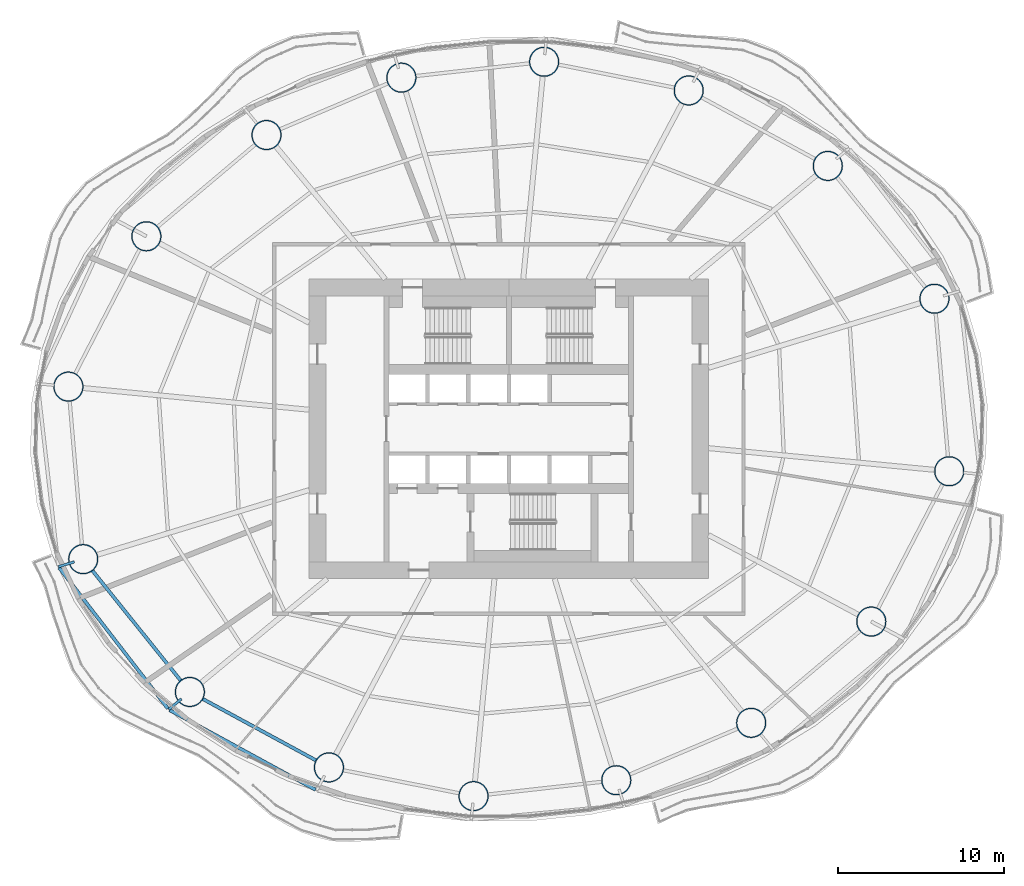
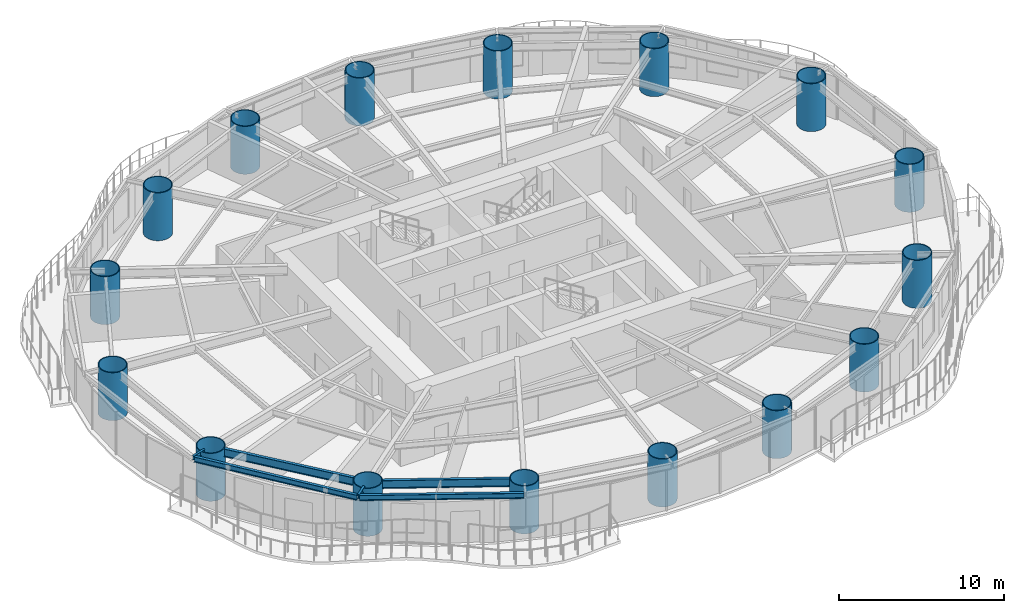
# One storey, part 1 of 16: 16 columns, 6 beams.
"""IFC4 building model written with IfcOpenShell, lengths in metres."""

from ifc_helpers import new_model, si_unit, direction, frame, origin, origin_2d, place, context, subcontext, project, spatial, hollow_circle, i_section, extrude, material, material_profile, profile_set, type_object, element, save


model = new_model("IFC4")

# Units and contexts
model_context = context("Model", 3, precision=1e-05, world=origin(), true_north=direction((0.0, 1.0)))
body_context = subcontext(model_context, "Body", "Model", "MODEL_VIEW")
ifc_project = project(units=[si_unit("LENGTHUNIT", "METRE"), si_unit("AREAUNIT", "SQUARE_METRE"), si_unit("VOLUMEUNIT", "CUBIC_METRE"), si_unit("PLANEANGLEUNIT", "RADIAN"), si_unit("MASSUNIT", "GRAM", prefix="KILO")], contexts=[model_context])

# Site, building, storey
site_placement = place(None, origin())
site = spatial("IfcSite", under=ifc_project, at=site_placement, CompositionType="ELEMENT")
building_placement = place(site_placement, origin())
building = spatial("IfcBuilding", under=site, at=building_placement, Name="Vermilion Reach Broadcast Tower", CompositionType="ELEMENT")
storey_placement = place(building_placement, frame((0.0, 0.0, 47.10009765625)))
storey = spatial("IfcBuildingStorey", under=building, at=storey_placement, Name="L08", CompositionType="ELEMENT", Elevation=47.10009765625)

# Columns
ifc_material_1 = material(Name="Concrete C80 infill in steel S460NL tube", Category="concrete")
ifc_material_profile_1 = material_profile(ifc_material_1, hollow_circle(Radius=0.89990234375, WallThickness=0.06005859375, at=origin_2d()), Name="Concrete C80 infill in steel S460NL tube CFT 1800x60")
ifc_profile_set_1 = profile_set([ifc_material_profile_1], Name="Concrete C80 infill in steel S460NL tube")
column_type = type_object("IfcColumnType", Name="MC1 CFT 1800x60", PredefinedType="COLUMN", material=ifc_profile_set_1)
for number, where, z_axis, x_axis, name in (
    (1, (19.575439453125, 7.823974609375, 0.0), (0.0, 0.0, 1.0), (1.0, 0.0, 0.0), "Mega-column MC1-01"),
    (2, (13.166259765625, 15.804931640625, 0.0), (0.0, 0.0, 1.0), (1.0, 0.0, 0.0), "Mega-column MC1-02"),
    (3, (4.809814453125, 20.3388671875, 0.0), (0.0, 0.0, 1.0), (1.0, 0.0, 0.0), "Mega-column MC1-03"),
    (4, (-3.87939453125, 22.06396484375, 0.0), (0.0, 0.0, 1.0), (1.0, 0.0, 0.0), "Mega-column MC1-04"),
    (5, (-12.45751953125, 21.108154296875, 0.0), (0.0, 0.0, 1.0), (1.0, 0.0, 0.0), "Mega-column MC1-05"),
    (6, (-20.563232421875, 17.660400390625, 0.0), (0.0, 0.0, 1.0), (1.0, 0.0, 0.0), "Mega-column MC1-06"),
    (7, (-27.77978515625, 11.57568359375, 0.0), (0.0, 0.0, 1.0), (1.0, 0.0, 0.0), "Mega-column MC1-07"),
    (8, (-32.464111328125, 2.54345703125, 0.0), (0.0, 0.0, 1.0), (1.0, 0.0, 0.0), "Mega-column MC1-08"),
    (9, (-31.575439453125, -7.823974609375, 0.0), (0.0, 0.0, 1.0), (1.0, 0.0, 0.0), "Mega-column MC1-09"),
    (10, (-25.166259765625, -15.804931640625, 0.0), (0.0, 0.0, 1.0), (1.0, 0.0, 0.0), "Mega-column MC1-10"),
    (11, (-16.809814453125, -20.3388671875, 0.0), (0.0, 0.0, 1.0), (1.0, 0.0, 0.0), "Mega-column MC1-11"),
    (12, (-8.12060546875, -22.06396484375, 0.0), (0.0, 0.0, 1.0), (1.0, 0.0, 0.0), "Mega-column MC1-12"),
    (13, (0.45751953125, -21.108154296875, 0.0), (0.0, 0.0, 1.0), (1.0, 0.0, 0.0), "Mega-column MC1-13"),
    (14, (8.563232421875, -17.660400390625, 0.0), (0.0, 0.0, 1.0), (1.0, 0.0, 0.0), "Mega-column MC1-14"),
    (15, (15.77978515625, -11.57568359375, 0.0), (0.0, 0.0, 1.0), (1.0, 0.0, 0.0), "Mega-column MC1-15"),
    (16, (20.464111328125, -2.54345703125, 0.0), (0.0, 0.0, 1.0), (1.0, 0.0, 0.0), "Mega-column MC1-16"),
):
    element("IfcColumn", number, at=place(storey_placement, frame(where, z_axis=z_axis, x_axis=x_axis)), inside=storey, type_object=column_type, Name=name, PredefinedType="COLUMN", context=body_context, shape_type="SweptSolid", body=[
        extrude(hollow_circle(Radius=0.89990234375, WallThickness=0.06005859375, at=origin_2d()), origin(), (0.0, 0.0, 1.0), 3.5498046875),
    ])

# Beams
ifc_material_2 = material(Name="Steel S355J2", Category="steel")
ifc_material_profile_2 = material_profile(ifc_material_2, i_section(OverallWidth=0.199951171875, OverallDepth=0.39990234375, WebThickness=0.008056640625, FlangeThickness=0.012939453125, at=origin_2d()), Name="S355J2 HN 400x200x8x13")
ifc_profile_set_2 = profile_set([ifc_material_profile_2], Name="Steel S355J2")
beam_type_1 = type_object("IfcBeamType", Name="EB1 HN 400x200x8x13", PredefinedType="BEAM", material=ifc_profile_set_2)
beam_1_placement = place(storey_placement, frame((-33.01708984375, -8.343505859375, 3.349853515625), z_axis=(0.610950413768, -0.791668865067, 0.0), x_axis=(0.791668865067, 0.610950413768, 0.0)))
element("IfcBeam", 17, at=beam_1_placement, inside=storey, type_object=beam_type_1, Name="Edge beam EB1-09", PredefinedType="BEAM", context=body_context, shape_type="SweptSolid", body=[
    extrude(i_section(OverallWidth=0.199951171875, OverallDepth=0.39990234375, WebThickness=0.008056640625, FlangeThickness=0.012939453125, at=origin_2d()), origin(), (0.0, 0.0, 1.0), 10.681884765625),
])
beam_2_placement = place(storey_placement, frame((-26.3740234375, -16.898193359375, 3.349853515625), z_axis=(0.877630085562, -0.479338536856, 0.0), x_axis=(0.479338536856, 0.877630085562, 0.0)))
element("IfcBeam", 18, at=beam_2_placement, inside=storey, type_object=beam_type_1, Name="Edge beam EB1-10", PredefinedType="BEAM", context=body_context, shape_type="SweptSolid", body=[
    extrude(i_section(OverallWidth=0.199951171875, OverallDepth=0.39990234375, WebThickness=0.008056640625, FlangeThickness=0.012939453125, at=origin_2d()), origin(), (0.0, 0.0, 1.0), 9.98583984375),
])
ifc_material_3 = material(Name="Steel S355J2", Category="steel")
ifc_material_profile_3 = material_profile(ifc_material_3, i_section(OverallWidth=0.14990234375, OverallDepth=0.300048828125, WebThickness=0.006591796875, FlangeThickness=0.009033203125, at=origin_2d()), Name="S355J2 HN 300x150x6.5x9")
ifc_profile_set_3 = profile_set([ifc_material_profile_3], Name="Steel S355J2")
beam_type_2 = type_object("IfcBeamType", Name="GS1 HN 300x150x6.5x9", PredefinedType="BEAM", material=ifc_profile_set_3)
for number, where, z_axis, x_axis, name in (
    (19, (-32.10986328125, -7.987548828125, 3.39990234375), (-0.95627383467, -0.292472824594, 0.0), (0.292472824594, -0.95627383467, 0.0), "Cantilever stub GS1-09"),
    (20, (-25.673583984375, -16.223388671875, 3.39990234375), (-0.771493112118, -0.636237674108, 0.0), (0.636237674108, -0.771493112118, 0.0), "Cantilever stub GS1-10"),
):
    element("IfcBeam", number, at=place(storey_placement, frame(where, z_axis=z_axis, x_axis=x_axis)), inside=storey, type_object=beam_type_2, Name=name, PredefinedType="BEAM", context=body_context, shape_type="SweptSolid", body=[
        extrude(i_section(OverallWidth=0.14990234375, OverallDepth=0.300048828125, WebThickness=0.006591796875, FlangeThickness=0.009033203125, at=origin_2d()), origin(), (0.0, 0.0, 1.0), 1.0),
    ])
ifc_material_4 = material(Name="Steel S355J2", Category="steel")
ifc_material_profile_4 = material_profile(ifc_material_4, i_section(OverallWidth=0.199951171875, OverallDepth=0.60009765625, WebThickness=0.010986328125, FlangeThickness=0.01708984375, at=origin_2d()), Name="S355J2 HN 600x200x11x17")
ifc_profile_set_4 = profile_set([ifc_material_profile_4], Name="Steel S355J2")
beam_type_3 = type_object("IfcBeamType", Name="RB1 HN 600x200x11x17", PredefinedType="BEAM", material=ifc_profile_set_4)
beam_3_placement = place(storey_placement, frame((-31.011962890625, -8.52587890625, 3.25), z_axis=(0.626162157191, -0.779692858055, 0.0), x_axis=(0.779692858055, 0.626162157191, 0.0)))
element("IfcBeam", 21, at=beam_3_placement, inside=storey, type_object=beam_type_3, Name="Ring beam RB1-09", PredefinedType="BEAM", context=body_context, shape_type="SweptSolid", body=[
    extrude(i_section(OverallWidth=0.199951171875, OverallDepth=0.60009765625, WebThickness=0.010986328125, FlangeThickness=0.01708984375, at=origin_2d()), origin(), (0.0, 0.0, 1.0), 8.435791015625),
])
beam_4_placement = place(storey_placement, frame((-24.375244140625, -16.234130859375, 3.25), z_axis=(0.878962319551, -0.476891225344, 0.0), x_axis=(0.476891225344, 0.878962319551, 0.0)))
element("IfcBeam", 22, at=beam_4_placement, inside=storey, type_object=beam_type_3, Name="Ring beam RB1-10", PredefinedType="BEAM", context=body_context, shape_type="SweptSolid", body=[
    extrude(i_section(OverallWidth=0.199951171875, OverallDepth=0.60009765625, WebThickness=0.010986328125, FlangeThickness=0.01708984375, at=origin_2d()), origin(), (0.0, 0.0, 1.0), 7.707275390625),
])

save(model, "model.ifc")
